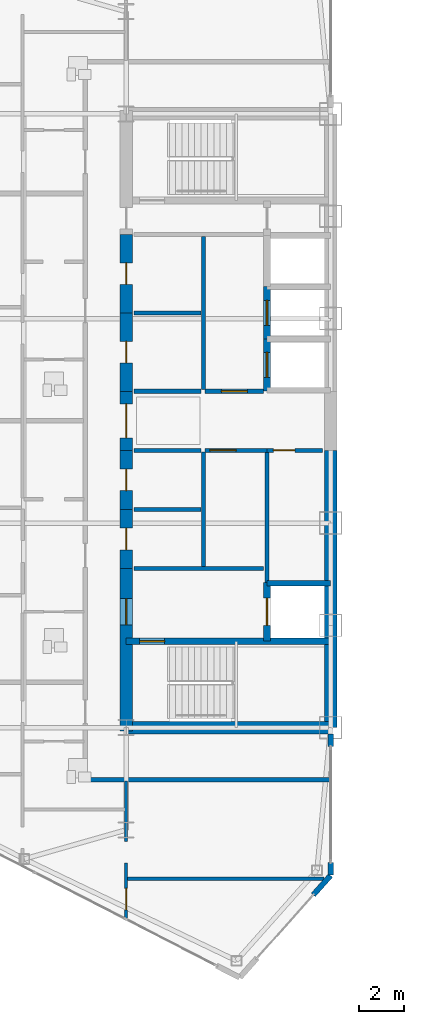
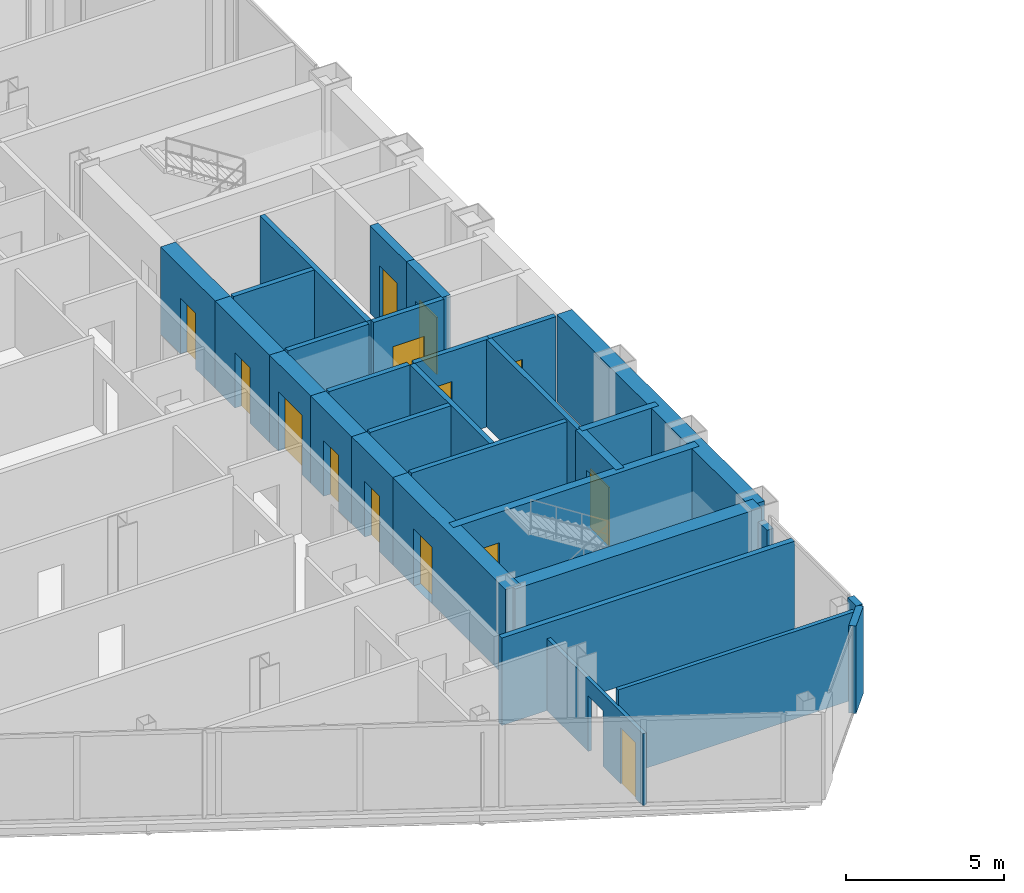
# One storey, part 16 of 23: 30 walls, 14 doors, 15 openings.
"""IFC4 building model written with IfcOpenShell, lengths in metres."""

from ifc_helpers import new_model, si_unit, direction, frame, frame_2d, origin, place, context, subcontext, project, spatial, rectangle, extrude, source, transform, mapped, material, layer, layer_set, type_object, type_shapes, element, fill, save


model = new_model("IFC4")

# Units and contexts
model_context = context("Model", 3, precision=1e-05, world=origin(), true_north=direction((0.0, 1.0)))
body_context = subcontext(model_context, "Body", "Model", "MODEL_VIEW")
ifc_project = project(units=[si_unit("LENGTHUNIT", "METRE"), si_unit("AREAUNIT", "SQUARE_METRE"), si_unit("VOLUMEUNIT", "CUBIC_METRE"), si_unit("PLANEANGLEUNIT", "RADIAN"), si_unit("MASSUNIT", "GRAM", prefix="KILO")], contexts=[model_context])

# Site, building, storey
site_placement = place(None, origin())
site = spatial("IfcSite", under=ifc_project, at=site_placement, CompositionType="ELEMENT")
building_placement = place(site_placement, origin())
building = spatial("IfcBuilding", under=site, at=building_placement, Name="Seokmaru Belvedere", CompositionType="ELEMENT")
storey_placement = place(building_placement, frame((0.0, 0.0, 147.60009765625)))
storey = spatial("IfcBuildingStorey", under=building, at=storey_placement, Name="L39", CompositionType="ELEMENT", Elevation=147.60009765625)

# Walls
ifc_material_1 = material(Name="Fire-Rated Gypsum Shaftwall")
ifc_layer_1 = layer(ifc_material_1, 0.14990234375)
ifc_layer_set_1 = layer_set([ifc_layer_1], Name="Fire-Rated Gypsum Shaftwall")
wall_type_1 = type_object("IfcWallType", Name="Apartment Fire-Acoustic Room Partition 150", PredefinedType="PARTITIONING", material=ifc_layer_set_1)
wall_1_placement = place(storey_placement, frame((-36.449951171875, -20.14990234375, 0.0), z_axis=(0.0, 0.0, 1.0), x_axis=(1.0, 0.0, 0.0)))
element("IfcWall", 1, at=wall_1_placement, inside=storey, type_object=wall_type_1, Name="L39 Interior Partition 001", PredefinedType="PARTITIONING", context=body_context, shape_type="SweptSolid", body=[
    extrude(rectangle(XDim=8.6494140625, YDim=0.14990234375, at=frame_2d((4.32470703125, 0.0))), origin(), (0.0, 0.0, 1.0), 3.3798828125),
])
ifc_layer_2 = layer(ifc_material_1, 0.179931640625)
ifc_layer_set_2 = layer_set([ifc_layer_2], Name="Fire-Rated Gypsum Shaftwall")
wall_type_2 = type_object("IfcWallType", Name="Core Service Fire Partition 180", PredefinedType="PARTITIONING", material=ifc_layer_set_2)
wall_2_placement = place(storey_placement, frame((-36.14990234375, -6.5, 0.0), z_axis=(0.0, 0.0, 1.0), x_axis=(1.0, 0.0, 0.0)))
element("IfcWall", 2, at=wall_2_placement, inside=storey, type_object=wall_type_2, Name="L39 West Firefighting Lobby Partition", PredefinedType="PARTITIONING", context=body_context, shape_type="SweptSolid", body=[
    extrude(rectangle(XDim=5.699951171875, YDim=0.179931640625, at=frame_2d((2.85009765625, 0.0))), origin(), (0.0, 0.0, 1.0), 3.3798828125),
])
wall_3_placement = place(storey_placement, frame((-33.10009765625, -6.419921875, 0.0), z_axis=(0.0, 0.0, 1.0), x_axis=(0.0, 1.0, 0.0)))
element("IfcWall", 3, at=wall_3_placement, inside=storey, type_object=wall_type_2, Name="L39 West South Core Service Back Wall", PredefinedType="PARTITIONING", context=body_context, shape_type="SweptSolid", body=[
    extrude(rectangle(XDim=5.0400390625, YDim=0.179931640625, at=frame_2d((2.52001953125, 0.0))), origin(), (0.0, 0.0, 1.0), 3.3798828125),
])
wall_4_placement = place(storey_placement, frame((-33.10009765625, 1.3798828125, 0.0), z_axis=(0.0, 0.0, 1.0), x_axis=(0.0, 1.0, 0.0)))
element("IfcWall", 4, at=wall_4_placement, inside=storey, type_object=wall_type_2, Name="L39 West North Core Service Back Wall", PredefinedType="PARTITIONING", context=body_context, shape_type="SweptSolid", body=[
    extrude(rectangle(XDim=6.740234375, YDim=0.179931640625, at=frame_2d((3.3701171875, 0.0))), origin(), (0.0, 0.0, 1.0), 3.3798828125),
])

# Wall, opening, door
wall_5_placement = place(storey_placement, frame((-30.300048828125, -1.300048828125, 0.0), z_axis=(0.0, 0.0, 1.0), x_axis=(1.0, 0.0, 0.0)))
wall_5 = element("IfcWall", 5, at=wall_5_placement, inside=storey, type_object=wall_type_2, Name="L39 West South Parcel Vault Foyer Wall", PredefinedType="PARTITIONING", context=body_context, shape_type="SweptSolid", body=[
    extrude(rectangle(XDim=2.449951171875, YDim=0.179931640625, at=frame_2d((1.22509765625, 0.0))), origin(), (0.0, 0.0, 1.0), 3.3798828125),
])
opening_1_placement = place(wall_5_placement, frame((0.27490234375, 0.0, 0.0)))
opening_1 = element("IfcOpeningElement", 6, at=opening_1_placement, cuts=wall_5, Name="Opening D04", PredefinedType="OPENING", context=body_context, shape_type="SweptSolid", body=[
    extrude(rectangle(XDim=0.949951171875, YDim=2.14990234375, at=frame_2d((0.47509765625, 1.074951171875))), frame((0.0, 0.10009765625, 0.0), z_axis=(0.0, -1.0, 0.0), x_axis=(1.0, 0.0, 0.0)), (0.0, 0.0, 1.0), 0.199951171875),
])
ifc_material_2 = material(Name="Fire-Rated Steel Leaf", Category="steel")
door_type_1 = type_object("IfcDoorType", Name="Core Service Room Fire Door 950x2150", OperationType="NOTDEFINED", PredefinedType="DOOR", material=ifc_material_2)
shared_shape_1 = source(origin(), body_context, "Body", "SweptSolid", [
    extrude(rectangle(XDim=0.949951171875, YDim=2.14990234375, at=frame_2d((0.47509765625, 1.074951171875))), frame((0.0, 0.02490234375, 0.0), z_axis=(0.0, -1.0, 0.0), x_axis=(1.0, 0.0, 0.0)), (0.0, 0.0, 1.0), 0.050048828125),
])
type_shapes(door_type_1, [shared_shape_1])
door_1_placement = place(opening_1_placement, origin())
door_1 = element("IfcDoor", 7, at=door_1_placement, inside=storey, type_object=door_type_1, Name="L39 West South Parcel Vault Door", OperationType="SINGLE_SWING_LEFT", OverallHeight=2.14990234375, OverallWidth=0.949951171875, PredefinedType="DOOR", context=body_context, shape_type="MappedRepresentation", body=[
    mapped(shared_shape_1, transform((0.0, 0.0, 0.0), scale=1.0)),
])
fill(opening_1, door_1)

wall_6_placement = place(storey_placement, frame((-33.02001953125, -1.300048828125, 0.0), z_axis=(0.0, 0.0, 1.0), x_axis=(1.0, 0.0, 0.0)))
wall_6 = element("IfcWall", 8, at=wall_6_placement, inside=storey, type_object=wall_type_2, Name="L39 West South Wine Cellar Foyer Wall", PredefinedType="PARTITIONING", context=body_context, shape_type="SweptSolid", body=[
    extrude(rectangle(XDim=2.719970703125, YDim=0.179931640625, at=frame_2d((1.35986328125, 0.0))), origin(), (0.0, 0.0, 1.0), 3.3798828125),
])
opening_2_placement = place(wall_6_placement, frame((0.2099609375, 0.0, 0.0)))
opening_2 = element("IfcOpeningElement", 9, at=opening_2_placement, cuts=wall_6, Name="Opening D02", PredefinedType="OPENING", context=body_context, shape_type="SweptSolid", body=[
    extrude(rectangle(XDim=1.14990234375, YDim=2.199951171875, at=frame_2d((0.574951171875, 1.10009765625))), frame((0.0, 0.10009765625, 0.0), z_axis=(0.0, -1.0, 0.0), x_axis=(1.0, 0.0, 0.0)), (0.0, 0.0, 1.0), 0.199951171875),
])
door_type_2 = type_object("IfcDoorType", Name="Lobby and Vestibule Fire Door 1150x2200", OperationType="NOTDEFINED", PredefinedType="DOOR", material=ifc_material_2)
shared_shape_2 = source(origin(), body_context, "Body", "SweptSolid", [
    extrude(rectangle(XDim=1.14990234375, YDim=2.199951171875, at=frame_2d((0.574951171875, 1.10009765625))), frame((0.0, 0.02490234375, 0.0), z_axis=(0.0, -1.0, 0.0), x_axis=(1.0, 0.0, 0.0)), (0.0, 0.0, 1.0), 0.050048828125),
])
type_shapes(door_type_2, [shared_shape_2])
door_2_placement = place(opening_2_placement, origin())
door_2 = element("IfcDoor", 10, at=door_2_placement, inside=storey, type_object=door_type_2, Name="L39 West South Core Foyer Door", OperationType="SINGLE_SWING_LEFT", OverallHeight=2.199951171875, OverallWidth=1.14990234375, PredefinedType="DOOR", context=body_context, shape_type="MappedRepresentation", body=[
    mapped(shared_shape_2, transform((0.0, 0.0, 0.0), scale=1.0)),
])
fill(opening_2, door_2)

# Wall
wall_7_placement = place(storey_placement, frame((-30.300048828125, -7.1201171875, 0.0), z_axis=(0.0, 0.0, 1.0), x_axis=(0.0, 1.0, 0.0)))
element("IfcWall", 11, at=wall_7_placement, inside=storey, type_object=wall_type_2, Name="L39 West Freed Shaft Vault Partition", PredefinedType="PARTITIONING", context=body_context, shape_type="SweptSolid", body=[
    extrude(rectangle(XDim=5.740234375, YDim=0.179931640625, at=frame_2d((2.8701171875, 0.0))), origin(), (0.0, 0.0, 1.0), 3.3798828125),
])

# Wall, opening, door
wall_8_placement = place(storey_placement, frame((-33.02001953125, 1.300048828125, 0.0), z_axis=(0.0, 0.0, 1.0), x_axis=(1.0, 0.0, 0.0)))
wall_8 = element("IfcWall", 12, at=wall_8_placement, inside=storey, type_object=wall_type_2, Name="L39 West North Lift Lobby Foyer Wall", PredefinedType="PARTITIONING", context=body_context, shape_type="SweptSolid", body=[
    extrude(rectangle(XDim=2.570068359375, YDim=0.179931640625, at=frame_2d((1.28515625, 0.0))), origin(), (0.0, 0.0, 1.0), 3.3798828125),
])
opening_3_placement = place(wall_8_placement, frame((0.7099609375, 0.0, 0.0)))
opening_3 = element("IfcOpeningElement", 13, at=opening_3_placement, cuts=wall_8, Name="Opening D02", PredefinedType="OPENING", context=body_context, shape_type="SweptSolid", body=[
    extrude(rectangle(XDim=1.14990234375, YDim=2.199951171875, at=frame_2d((0.574951171875, 1.10009765625))), frame((0.0, 0.10009765625, 0.0), z_axis=(0.0, -1.0, 0.0), x_axis=(1.0, 0.0, 0.0)), (0.0, 0.0, 1.0), 0.199951171875),
])
door_3_placement = place(opening_3_placement, origin())
door_3 = element("IfcDoor", 14, at=door_3_placement, inside=storey, type_object=door_type_2, Name="L39 West North Lift Lobby Door", OperationType="SINGLE_SWING_RIGHT", OverallHeight=2.199951171875, OverallWidth=1.14990234375, PredefinedType="DOOR", context=body_context, shape_type="MappedRepresentation", body=[
    mapped(shared_shape_2, transform((0.0, 0.0, 0.0), scale=1.0)),
])
fill(opening_3, door_3)

# Walls
for number, where, z_axis, x_axis, name in (
    (15, (-36.14990234375, -1.300048828125, 0.0), (0.0, 0.0, 1.0), (1.0, 0.0, 0.0), "L39 West Foyer Side Wall S"),
    (16, (-36.14990234375, 1.300048828125, 0.0), (0.0, 0.0, 1.0), (1.0, 0.0, 0.0), "L39 West Foyer Side Wall N"),
    (17, (-36.14990234375, -3.89990234375, 0.0), (0.0, 0.0, 1.0), (1.0, 0.0, 0.0), "L39 West Core Service Partition 1"),
    (18, (-36.14990234375, 4.75, 0.0), (0.0, 0.0, 1.0), (1.0, 0.0, 0.0), "L39 West Core Service Partition 2"),
):
    element("IfcWall", number, at=place(storey_placement, frame(where, z_axis=z_axis, x_axis=x_axis)), inside=storey, type_object=wall_type_2, Name=name, PredefinedType="PARTITIONING", context=body_context, shape_type="SweptSolid", body=[
        extrude(rectangle(XDim=2.949951171875, YDim=0.179931640625, at=frame_2d((1.47509765625, 0.0))), origin(), (0.0, 0.0, 1.0), 3.3798828125),
    ])
ifc_material_3 = material(Name="Concrete C50 (50 MPa)", Category="concrete")
ifc_layer_3 = layer(ifc_material_3, 0.25)
ifc_layer_set_3 = layer_set([ifc_layer_3], Name="Concrete C50 (50 MPa)")
wall_type_3 = type_object("IfcWallType", Name="Hoistway Transverse Concrete Divider Wall 250", PredefinedType="SHEAR", material=ifc_layer_set_3)
wall_9_placement = place(storey_placement, frame((-30.300048828125, -7.14990234375, 0.0), z_axis=(0.0, 0.0, 1.0), x_axis=(1.0, 0.0, 0.0)))
element("IfcWall", 19, at=wall_9_placement, inside=storey, type_object=wall_type_3, Name="L39 West Hoistway Divider Core Wall 1", PredefinedType="SHEAR", context=body_context, shape_type="SweptSolid", body=[
    extrude(rectangle(XDim=2.800048828125, YDim=0.25, at=frame_2d((1.39990234375, 0.0))), origin(), (0.0, 0.0, 1.0), 3.3798828125),
])
ifc_layer_4 = layer(ifc_material_1, 0.199951171875)
ifc_layer_set_4 = layer_set([ifc_layer_4], Name="Fire-Rated Gypsum Shaftwall")
wall_type_4 = type_object("IfcWallType", Name="Inter-Tenancy Fire Compartment Partition 200", PredefinedType="PARTITIONING", material=ifc_layer_set_4)
wall_10_placement = place(storey_placement, frame((-38.215087890625, -15.800048828125, 0.0), z_axis=(0.0, 0.0, 1.0), x_axis=(1.0, 0.0, 0.0)))
element("IfcWall", 20, at=wall_10_placement, inside=storey, type_object=wall_type_4, Name="L39 Interior Partition 003", PredefinedType="PARTITIONING", context=body_context, shape_type="SweptSolid", body=[
    extrude(rectangle(XDim=10.715087890625, YDim=0.199951171875, at=frame_2d((5.357421875, 0.0))), origin(), (0.0, 0.0, 1.0), 3.3798828125),
])

# Wall, opening, door
ifc_layer_5 = layer(ifc_material_3, 0.300048828125)
ifc_layer_set_5 = layer_set([ifc_layer_5], Name="Concrete C50 (50 MPa)")
wall_type_5 = type_object("IfcWallType", Name="Internal Core Stair and Hoistway Wall 300", PredefinedType="SHEAR", material=ifc_layer_set_5)
wall_11_placement = place(storey_placement, frame((-36.5, -9.699951171875, 0.0), z_axis=(0.0, 0.0, 1.0), x_axis=(1.0, 0.0, 0.0)))
wall_11 = element("IfcWall", 21, at=wall_11_placement, inside=storey, type_object=wall_type_5, Name="L39 West Stair ST-1 Enclosure Wall", PredefinedType="SHEAR", context=body_context, shape_type="SweptSolid", body=[
    extrude(rectangle(XDim=9.0, YDim=0.300048828125, at=frame_2d((4.5, 0.0))), origin(), (0.0, 0.0, 1.0), 3.3798828125),
])
opening_4_placement = place(wall_11_placement, frame((0.60009765625, 0.0, 0.0)))
opening_4 = element("IfcOpeningElement", 22, at=opening_4_placement, cuts=wall_11, Name="Opening D01", PredefinedType="OPENING", context=body_context, shape_type="SweptSolid", body=[
    extrude(rectangle(XDim=1.10009765625, YDim=2.199951171875, at=frame_2d((0.550048828125, 1.10009765625))), frame((0.0, 0.16015625, 0.0), z_axis=(0.0, -1.0, 0.0), x_axis=(1.0, 0.0, 0.0)), (0.0, 0.0, 1.0), 0.320068359375),
])
door_type_3 = type_object("IfcDoorType", Name="Special Escape Stair Smokeproof Fire Door 1100x2200", OperationType="NOTDEFINED", PredefinedType="DOOR", material=ifc_material_2)
shared_shape_3 = source(origin(), body_context, "Body", "SweptSolid", [
    extrude(rectangle(XDim=1.10009765625, YDim=2.199951171875, at=frame_2d((0.550048828125, 1.10009765625))), frame((0.0, 0.02490234375, 0.0), z_axis=(0.0, -1.0, 0.0), x_axis=(1.0, 0.0, 0.0)), (0.0, 0.0, 1.0), 0.050048828125),
])
type_shapes(door_type_3, [shared_shape_3])
door_4_placement = place(opening_4_placement, frame((1.10009765625, 0.0, 0.0), z_axis=(0.0, 0.0, 1.0), x_axis=(-1.0, 0.0, 0.0)))
door_4 = element("IfcDoor", 23, at=door_4_placement, inside=storey, type_object=door_type_3, Name="L39 West Special Escape Stair ST-1 Door", OperationType="SINGLE_SWING_LEFT", OverallHeight=2.199951171875, OverallWidth=1.10009765625, PredefinedType="DOOR", context=body_context, shape_type="MappedRepresentation", body=[
    mapped(shared_shape_3, transform((0.0, 0.0, 0.0), scale=1.0)),
])
fill(opening_4, door_4)

wall_12_placement = place(storey_placement, frame((-30.300048828125, -9.679931640625, 0.0), z_axis=(0.0, 0.0, 1.0), x_axis=(0.0, 1.0, 0.0)))
wall_12 = element("IfcWall", 24, at=wall_12_placement, inside=storey, type_object=wall_type_5, Name="L39 West Firefighting Lift Shaft Front Wall", PredefinedType="SHEAR", context=body_context, shape_type="SweptSolid", body=[
    extrude(rectangle(XDim=2.559814453125, YDim=0.300048828125, at=frame_2d((1.27978515625, 0.0))), origin(), (0.0, 0.0, 1.0), 3.3798828125),
])
opening_5_placement = place(wall_12_placement, frame((0.679931640625, 0.0, 0.0)))
opening_5 = element("IfcOpeningElement", 25, at=opening_5_placement, cuts=wall_12, Name="Opening LD2", PredefinedType="OPENING", context=body_context, shape_type="SweptSolid", body=[
    extrude(rectangle(XDim=1.199951171875, YDim=2.25, at=frame_2d((0.60009765625, 1.125))), frame((0.0, 0.16015625, 0.0), z_axis=(0.0, -1.0, 0.0), x_axis=(1.0, 0.0, 0.0)), (0.0, 0.0, 1.0), 0.320068359375),
])
ifc_material_4 = material(Name="Stainless Steel 316", Category="steel")
door_type_4 = type_object("IfcDoorType", Name="Firefighting Lift Sliding Landing Door 1200x2250", OperationType="DOUBLE_DOOR_SLIDING", PredefinedType="DOOR", material=ifc_material_4)
shared_shape_4 = source(origin(), body_context, "Body", "SweptSolid", [
    extrude(rectangle(XDim=1.199951171875, YDim=2.25, at=frame_2d((0.60009765625, 1.125))), frame((0.0, 0.02490234375, 0.0), z_axis=(0.0, -1.0, 0.0), x_axis=(1.0, 0.0, 0.0)), (0.0, 0.0, 1.0), 0.050048828125),
])
type_shapes(door_type_4, [shared_shape_4])
door_5_placement = place(opening_5_placement, origin())
door_5 = element("IfcDoor", 26, at=door_5_placement, inside=storey, type_object=door_type_4, Name="L39 West Firefighting Lift Landing Door", OperationType="DOUBLE_DOOR_SLIDING", OverallHeight=2.25, OverallWidth=1.199951171875, PredefinedType="DOOR", context=body_context, shape_type="MappedRepresentation", body=[
    mapped(shared_shape_4, transform((0.0, 0.0, 0.0), scale=1.0)),
])
fill(opening_5, door_5)

wall_13_placement = place(storey_placement, frame((-30.300048828125, 1.320068359375, 0.0), z_axis=(0.0, 0.0, 1.0), x_axis=(0.0, 1.0, 0.0)))
wall_13 = element("IfcWall", 27, at=wall_13_placement, inside=storey, type_object=wall_type_5, Name="L39 West North Hoistway Wall PH1", PredefinedType="SHEAR", context=body_context, shape_type="SweptSolid", body=[
    extrude(rectangle(XDim=2.280029296875, YDim=0.300048828125, at=frame_2d((1.14013671875, 0.0))), origin(), (0.0, 0.0, 1.0), 3.3798828125),
])
opening_6_placement = place(wall_13_placement, frame((0.590087890625, 0.0, 0.0)))
opening_6 = element("IfcOpeningElement", 28, at=opening_6_placement, cuts=wall_13, Name="Opening LD1", PredefinedType="OPENING", context=body_context, shape_type="SweptSolid", body=[
    extrude(rectangle(XDim=1.10009765625, YDim=2.199951171875, at=frame_2d((0.550048828125, 1.10009765625))), frame((0.0, 0.16015625, 0.0), z_axis=(0.0, -1.0, 0.0), x_axis=(1.0, 0.0, 0.0)), (0.0, 0.0, 1.0), 0.320068359375),
])
door_type_5 = type_object("IfcDoorType", Name="Passenger Lift Sliding Landing Door 1100x2200", OperationType="DOUBLE_DOOR_SLIDING", PredefinedType="DOOR", material=ifc_material_4)
shared_shape_5 = source(origin(), body_context, "Body", "SweptSolid", [
    extrude(rectangle(XDim=1.10009765625, YDim=2.199951171875, at=frame_2d((0.550048828125, 1.10009765625))), frame((0.0, 0.02490234375, 0.0), z_axis=(0.0, -1.0, 0.0), x_axis=(1.0, 0.0, 0.0)), (0.0, 0.0, 1.0), 0.050048828125),
])
type_shapes(door_type_5, [shared_shape_5])
door_6_placement = place(opening_6_placement, origin())
door_6 = element("IfcDoor", 29, at=door_6_placement, inside=storey, type_object=door_type_5, Name="L39 West High-Rise Lift PH-1 Landing Door", OperationType="DOUBLE_DOOR_SLIDING", OverallHeight=2.199951171875, OverallWidth=1.10009765625, PredefinedType="DOOR", context=body_context, shape_type="MappedRepresentation", body=[
    mapped(shared_shape_5, transform((0.0, 0.0, 0.0), scale=1.0)),
])
fill(opening_6, door_6)

wall_14_placement = place(storey_placement, frame((-30.300048828125, 3.60009765625, 0.0), z_axis=(0.0, 0.0, 1.0), x_axis=(0.0, 1.0, 0.0)))
wall_14 = element("IfcWall", 30, at=wall_14_placement, inside=storey, type_object=wall_type_5, Name="L39 West North Hoistway Wall PH2", PredefinedType="SHEAR", context=body_context, shape_type="SweptSolid", body=[
    extrude(rectangle(XDim=2.2998046875, YDim=0.300048828125, at=frame_2d((1.14990234375, 0.0))), origin(), (0.0, 0.0, 1.0), 3.3798828125),
])
opening_7_placement = place(wall_14_placement, frame((0.60009765625, 0.0, 0.0)))
opening_7 = element("IfcOpeningElement", 31, at=opening_7_placement, cuts=wall_14, Name="Opening LD1", PredefinedType="OPENING", context=body_context, shape_type="SweptSolid", body=[
    extrude(rectangle(XDim=1.10009765625, YDim=2.199951171875, at=frame_2d((0.550048828125, 1.10009765625))), frame((0.0, 0.16015625, 0.0), z_axis=(0.0, -1.0, 0.0), x_axis=(1.0, 0.0, 0.0)), (0.0, 0.0, 1.0), 0.320068359375),
])
door_7_placement = place(opening_7_placement, origin())
door_7 = element("IfcDoor", 32, at=door_7_placement, inside=storey, type_object=door_type_5, Name="L39 West High-Rise Lift PH-2 Landing Door", OperationType="DOUBLE_DOOR_SLIDING", OverallHeight=2.199951171875, OverallWidth=1.10009765625, PredefinedType="DOOR", context=body_context, shape_type="MappedRepresentation", body=[
    mapped(shared_shape_5, transform((0.0, 0.0, 0.0), scale=1.0)),
])
fill(opening_7, door_7)

# Walls
ifc_layer_6 = layer(ifc_material_3, 0.550048828125)
ifc_layer_set_6 = layer_set([ifc_layer_6], Name="Concrete C50 (50 MPa)")
wall_type_6 = type_object("IfcWallType", Name="Mid-High Reinforced Concrete Core Wall 550", PredefinedType="SHEAR", material=ifc_layer_set_6)
wall_15_placement = place(storey_placement, frame((-27.5, -13.5, 0.0), z_axis=(0.0, 0.0, 1.0), x_axis=(0.0, 1.0, 0.0)))
element("IfcWall", 33, at=wall_15_placement, inside=storey, type_object=wall_type_6, Name="L39 West Portal Spine Core Wall South", PredefinedType="SHEAR", context=body_context, shape_type="SweptSolid", body=[
    extrude(rectangle(XDim=12.199951171875, YDim=0.550048828125, at=frame_2d((6.10009765625, 0.0))), origin(), (0.0, 0.0, 1.0), 3.3798828125),
])
wall_16_placement = place(storey_placement, frame((-36.5, -13.5, 0.0), z_axis=(0.0, 0.0, 1.0), x_axis=(1.0, 0.0, 0.0)))
element("IfcWall", 34, at=wall_16_placement, inside=storey, type_object=wall_type_6, Name="L39 West South Core Wall", PredefinedType="SHEAR", context=body_context, shape_type="SweptSolid", body=[
    extrude(rectangle(XDim=9.0, YDim=0.550048828125, at=frame_2d((4.5, 0.0))), origin(), (0.0, 0.0, 1.0), 3.3798828125),
])

# Wall, opening, door
wall_17_placement = place(storey_placement, frame((-36.5, -13.64990234375, 0.0), z_axis=(0.0, 0.0, 1.0), x_axis=(0.0, 1.0, 0.0)))
wall_17 = element("IfcWall", 35, at=wall_17_placement, inside=storey, type_object=wall_type_6, Name="L39 West West Core Wall FF", PredefinedType="SHEAR", context=body_context, shape_type="SweptSolid", body=[
    extrude(rectangle(XDim=7.14990234375, YDim=0.550048828125, at=frame_2d((3.574951171875, 0.0))), origin(), (0.0, 0.0, 1.0), 3.3798828125),
])
opening_8_placement = place(wall_17_placement, frame((4.675048828125, 0.0, 0.0)))
opening_8 = element("IfcOpeningElement", 36, at=opening_8_placement, cuts=wall_17, Name="Opening D02", PredefinedType="OPENING", context=body_context, shape_type="SweptSolid", body=[
    extrude(rectangle(XDim=1.14990234375, YDim=2.199951171875, at=frame_2d((0.574951171875, 1.10009765625))), frame((0.0, 0.28515625, 0.0), z_axis=(0.0, -1.0, 0.0), x_axis=(1.0, 0.0, 0.0)), (0.0, 0.0, 1.0), 0.570068359375),
])
door_8_placement = place(opening_8_placement, frame((1.14990234375, 0.0, 0.0), z_axis=(0.0, 0.0, 1.0), x_axis=(-1.0, 0.0, 0.0)))
door_8 = element("IfcDoor", 37, at=door_8_placement, inside=storey, type_object=door_type_2, Name="L39 West Firefighting Lobby Door", OperationType="SINGLE_SWING_LEFT", OverallHeight=2.199951171875, OverallWidth=1.14990234375, PredefinedType="DOOR", context=body_context, shape_type="MappedRepresentation", body=[
    mapped(shared_shape_2, transform((0.0, 0.0, 0.0), scale=1.0)),
])
fill(opening_8, door_8)

wall_18_placement = place(storey_placement, frame((-36.5, -1.300048828125, 0.0), z_axis=(0.0, 0.0, 1.0), x_axis=(0.0, 1.0, 0.0)))
wall_18 = element("IfcWall", 38, at=wall_18_placement, inside=storey, type_object=wall_type_6, Name="L39 West West Core Wall FOY", PredefinedType="SHEAR", context=body_context, shape_type="SweptSolid", body=[
    extrude(rectangle(XDim=2.60009765625, YDim=0.550048828125, at=frame_2d((1.300048828125, 0.0))), origin(), (0.0, 0.0, 1.0), 3.3798828125),
])
opening_9_placement = place(wall_18_placement, frame((0.550048828125, 0.0, 0.0)))
opening_9 = element("IfcOpeningElement", 39, at=opening_9_placement, cuts=wall_18, Name="Opening D08", PredefinedType="OPENING", context=body_context, shape_type="SweptSolid", body=[
    extrude(rectangle(XDim=1.5, YDim=2.300048828125, at=frame_2d((0.75, 1.14990234375))), frame((0.0, 0.28515625, 0.0), z_axis=(0.0, -1.0, 0.0), x_axis=(1.0, 0.0, 0.0)), (0.0, 0.0, 1.0), 0.570068359375),
])
door_type_6 = type_object("IfcDoorType", Name="Cross-Corridor Compartment Double Fire Door 1500x2300", OperationType="DOUBLE_SWING_LEFT", PredefinedType="DOOR", material=ifc_material_2)
shared_shape_6 = source(origin(), body_context, "Body", "SweptSolid", [
    extrude(rectangle(XDim=1.5, YDim=2.300048828125, at=frame_2d((0.75, 1.14990234375))), frame((0.0, 0.02490234375, 0.0), z_axis=(0.0, -1.0, 0.0), x_axis=(1.0, 0.0, 0.0)), (0.0, 0.0, 1.0), 0.050048828125),
])
type_shapes(door_type_6, [shared_shape_6])
door_9_placement = place(opening_9_placement, origin())
door_9 = element("IfcDoor", 40, at=door_9_placement, inside=storey, type_object=door_type_6, Name="L39 West Core Foyer Compartment Door", OperationType="DOUBLE_SWING_LEFT", OverallHeight=2.300048828125, OverallWidth=1.5, PredefinedType="DOOR", context=body_context, shape_type="MappedRepresentation", body=[
    mapped(shared_shape_6, transform((0.0, 0.0, 0.0), scale=1.0)),
])
fill(opening_9, door_9)

wall_19_placement = place(storey_placement, frame((-36.5, -6.5, 0.0), z_axis=(0.0, 0.0, 1.0), x_axis=(0.0, 1.0, 0.0)))
wall_19 = element("IfcWall", 41, at=wall_19_placement, inside=storey, type_object=wall_type_6, Name="L39 West West Core Wall CS1", PredefinedType="SHEAR", context=body_context, shape_type="SweptSolid", body=[
    extrude(rectangle(XDim=2.60009765625, YDim=0.550048828125, at=frame_2d((1.300048828125, 0.0))), origin(), (0.0, 0.0, 1.0), 3.3798828125),
])
opening_10_placement = place(wall_19_placement, frame((0.824951171875, 0.0, 0.0)))
opening_10 = element("IfcOpeningElement", 42, at=opening_10_placement, cuts=wall_19, Name="Opening D04", PredefinedType="OPENING", context=body_context, shape_type="SweptSolid", body=[
    extrude(rectangle(XDim=0.949951171875, YDim=2.14990234375, at=frame_2d((0.47509765625, 1.074951171875))), frame((0.0, 0.28515625, 0.0), z_axis=(0.0, -1.0, 0.0), x_axis=(1.0, 0.0, 0.0)), (0.0, 0.0, 1.0), 0.570068359375),
])
door_10_placement = place(opening_10_placement, origin())
door_10 = element("IfcDoor", 43, at=door_10_placement, inside=storey, type_object=door_type_1, Name="L39 West Core Service Room Door 1", OperationType="SINGLE_SWING_LEFT", OverallHeight=2.14990234375, OverallWidth=0.949951171875, PredefinedType="DOOR", context=body_context, shape_type="MappedRepresentation", body=[
    mapped(shared_shape_1, transform((0.0, 0.0, 0.0), scale=1.0)),
])
fill(opening_10, door_10)

wall_20_placement = place(storey_placement, frame((-36.5, -3.89990234375, 0.0), z_axis=(0.0, 0.0, 1.0), x_axis=(0.0, 1.0, 0.0)))
wall_20 = element("IfcWall", 44, at=wall_20_placement, inside=storey, type_object=wall_type_6, Name="L39 West West Core Wall CS2", PredefinedType="SHEAR", context=body_context, shape_type="SweptSolid", body=[
    extrude(rectangle(XDim=2.599853515625, YDim=0.550048828125, at=frame_2d((1.2998046875, 0.0))), origin(), (0.0, 0.0, 1.0), 3.3798828125),
])
opening_11_placement = place(wall_20_placement, frame((0.824951171875, 0.0, 0.0)))
opening_11 = element("IfcOpeningElement", 45, at=opening_11_placement, cuts=wall_20, Name="Opening D04", PredefinedType="OPENING", context=body_context, shape_type="SweptSolid", body=[
    extrude(rectangle(XDim=0.949951171875, YDim=2.14990234375, at=frame_2d((0.47509765625, 1.074951171875))), frame((0.0, 0.28515625, 0.0), z_axis=(0.0, -1.0, 0.0), x_axis=(1.0, 0.0, 0.0)), (0.0, 0.0, 1.0), 0.570068359375),
])
door_11_placement = place(opening_11_placement, origin())
door_11 = element("IfcDoor", 46, at=door_11_placement, inside=storey, type_object=door_type_1, Name="L39 West Core Service Room Door 2", OperationType="SINGLE_SWING_RIGHT", OverallHeight=2.14990234375, OverallWidth=0.949951171875, PredefinedType="DOOR", context=body_context, shape_type="MappedRepresentation", body=[
    mapped(shared_shape_1, transform((0.0, 0.0, 0.0), scale=1.0)),
])
fill(opening_11, door_11)

wall_21_placement = place(storey_placement, frame((-36.5, 1.300048828125, 0.0), z_axis=(0.0, 0.0, 1.0), x_axis=(0.0, 1.0, 0.0)))
wall_21 = element("IfcWall", 47, at=wall_21_placement, inside=storey, type_object=wall_type_6, Name="L39 West West Core Wall CS3", PredefinedType="SHEAR", context=body_context, shape_type="SweptSolid", body=[
    extrude(rectangle(XDim=3.449951171875, YDim=0.550048828125, at=frame_2d((1.72509765625, 0.0))), origin(), (0.0, 0.0, 1.0), 3.3798828125),
])
opening_12_placement = place(wall_21_placement, frame((1.25, 0.0, 0.0)))
opening_12 = element("IfcOpeningElement", 48, at=opening_12_placement, cuts=wall_21, Name="Opening D04", PredefinedType="OPENING", context=body_context, shape_type="SweptSolid", body=[
    extrude(rectangle(XDim=0.949951171875, YDim=2.14990234375, at=frame_2d((0.47509765625, 1.074951171875))), frame((0.0, 0.28515625, 0.0), z_axis=(0.0, -1.0, 0.0), x_axis=(1.0, 0.0, 0.0)), (0.0, 0.0, 1.0), 0.570068359375),
])
door_12_placement = place(opening_12_placement, origin())
door_12 = element("IfcDoor", 49, at=door_12_placement, inside=storey, type_object=door_type_1, Name="L39 West Core Service Room Door 3", OperationType="SINGLE_SWING_LEFT", OverallHeight=2.14990234375, OverallWidth=0.949951171875, PredefinedType="DOOR", context=body_context, shape_type="MappedRepresentation", body=[
    mapped(shared_shape_1, transform((0.0, 0.0, 0.0), scale=1.0)),
])
fill(opening_12, door_12)

wall_22_placement = place(storey_placement, frame((-36.5, 4.75, 0.0), z_axis=(0.0, 0.0, 1.0), x_axis=(0.0, 1.0, 0.0)))
wall_22 = element("IfcWall", 50, at=wall_22_placement, inside=storey, type_object=wall_type_6, Name="L39 West West Core Wall CS4", PredefinedType="SHEAR", context=body_context, shape_type="SweptSolid", body=[
    extrude(rectangle(XDim=3.449951171875, YDim=0.550048828125, at=frame_2d((1.72509765625, 0.0))), origin(), (0.0, 0.0, 1.0), 3.3798828125),
])
opening_13_placement = place(wall_22_placement, frame((1.25, 0.0, 0.0)))
opening_13 = element("IfcOpeningElement", 51, at=opening_13_placement, cuts=wall_22, Name="Opening D04", PredefinedType="OPENING", context=body_context, shape_type="SweptSolid", body=[
    extrude(rectangle(XDim=0.949951171875, YDim=2.14990234375, at=frame_2d((0.47509765625, 1.074951171875))), frame((0.0, 0.28515625, 0.0), z_axis=(0.0, -1.0, 0.0), x_axis=(1.0, 0.0, 0.0)), (0.0, 0.0, 1.0), 0.570068359375),
])
door_13_placement = place(opening_13_placement, origin())
door_13 = element("IfcDoor", 52, at=door_13_placement, inside=storey, type_object=door_type_1, Name="L39 West Core Service Room Door 4", OperationType="SINGLE_SWING_RIGHT", OverallHeight=2.14990234375, OverallWidth=0.949951171875, PredefinedType="DOOR", context=body_context, shape_type="MappedRepresentation", body=[
    mapped(shared_shape_1, transform((0.0, 0.0, 0.0), scale=1.0)),
])
fill(opening_13, door_13)

# Wall, openings, door
ifc_layer_7 = layer(ifc_material_1, 0.1298828125)
ifc_layer_set_7 = layer_set([ifc_layer_7], Name="Fire-Rated Gypsum Shaftwall")
wall_type_7 = type_object("IfcWallType", Name="Moisture-Resistant Fire-Rated Bathroom Partition 130", PredefinedType="PARTITIONING", material=ifc_layer_set_7)
wall_23_placement = place(storey_placement, frame((-36.5, -21.968994140625, 0.0), z_axis=(0.0, 0.0, 1.0), x_axis=(0.0, 1.0, 0.0)))
wall_23 = element("IfcWall", 53, at=wall_23_placement, inside=storey, type_object=wall_type_7, Name="L39 Interior Partition 041", PredefinedType="PARTITIONING", context=body_context, shape_type="SweptSolid", body=[
    extrude(rectangle(XDim=6.118896484375, YDim=0.1298828125, at=frame_2d((3.0595703125, 0.0))), origin(), (0.0, 0.0, 1.0), 2.77978515625),
])
opening_14_placement = place(wall_23_placement, frame((0.451904296875, 0.0, 0.0)))
opening_14 = element("IfcOpeningElement", 54, at=opening_14_placement, cuts=wall_23, Name="Opening D05", PredefinedType="OPENING", context=body_context, shape_type="SweptSolid", body=[
    extrude(rectangle(XDim=0.949951171875, YDim=2.14990234375, at=frame_2d((0.47509765625, 1.074951171875))), frame((0.0, 0.074951171875, 0.0), z_axis=(0.0, -1.0, 0.0), x_axis=(1.0, 0.0, 0.0)), (0.0, 0.0, 1.0), 0.14990234375),
])
opening_15_placement = place(wall_23_placement, frame((2.5126953125, 0.0, 0.0)))
element("IfcOpeningElement", 55, at=opening_15_placement, cuts=wall_23, Name="L39 Cased Opening 007", PredefinedType="OPENING", context=body_context, shape_type="SweptSolid", body=[
    extrude(rectangle(XDim=0.949951171875, YDim=2.14990234375, at=frame_2d((0.47509765625, 1.074951171875))), frame((0.0, 0.074951171875, 0.0), z_axis=(0.0, -1.0, 0.0), x_axis=(1.0, 0.0, 0.0)), (0.0, 0.0, 1.0), 0.14990234375),
])
ifc_material_5 = material(Name="Engineered White Oak Timber", Category="wood")
door_type_7 = type_object("IfcDoorType", Name="Apartment Interior Fire-Rated Oak Door 950x2150", OperationType="NOTDEFINED", PredefinedType="DOOR", material=ifc_material_5)
shared_shape_7 = source(origin(), body_context, "Body", "SweptSolid", [
    extrude(rectangle(XDim=0.949951171875, YDim=2.14990234375, at=frame_2d((0.47509765625, 1.074951171875))), frame((0.0, 0.02490234375, 0.0), z_axis=(0.0, -1.0, 0.0), x_axis=(1.0, 0.0, 0.0)), (0.0, 0.0, 1.0), 0.050048828125),
])
type_shapes(door_type_7, [shared_shape_7])
door_14_placement = place(opening_14_placement, origin())
door_14 = element("IfcDoor", 56, at=door_14_placement, inside=storey, type_object=door_type_7, Name="L39 Interior Door 006", OperationType="SINGLE_SWING_RIGHT", OverallHeight=2.14990234375, OverallWidth=0.949951171875, PredefinedType="DOOR", context=body_context, shape_type="MappedRepresentation", body=[
    mapped(shared_shape_7, transform((0.0, 0.0, 0.0), scale=1.0)),
])
fill(opening_14, door_14)

# Walls
ifc_material_6 = material(Name="Anodised Bronze Aluminium", Category="aluminium")
ifc_layer_8 = layer(ifc_material_6, 0.239990234375)
ifc_layer_set_8 = layer_set([ifc_layer_8], Name="Anodised Bronze Aluminium")
wall_type_8 = type_object("IfcWallType", Name="Tower Corner Spandrel Closure Wall 240", PredefinedType="SOLIDWALL", material=ifc_layer_set_8)
wall_24_placement = place(storey_placement, frame((-27.5, -19.97998046875, 0.0), z_axis=(0.0, 0.0, 1.0), x_axis=(0.0, 1.0, 0.0)))
element("IfcWall", 57, at=wall_24_placement, inside=storey, type_object=wall_type_8, Name="L39 W Spine Closure Pier 1A", PredefinedType="SOLIDWALL", context=body_context, shape_type="SweptSolid", body=[
    extrude(rectangle(XDim=0.550048828125, YDim=0.239990234375, at=frame_2d((0.27490234375, 0.0))), origin(), (0.0, 0.0, 1.0), 3.3798828125),
])
wall_25_placement = place(storey_placement, frame((-27.5, -14.330078125, 0.0), z_axis=(0.0, 0.0, 1.0), x_axis=(0.0, 1.0, 0.0)))
element("IfcWall", 58, at=wall_25_placement, inside=storey, type_object=wall_type_8, Name="L39 W Spine Closure Pier 1B", PredefinedType="SOLIDWALL", context=body_context, shape_type="SweptSolid", body=[
    extrude(rectangle(XDim=0.550048828125, YDim=0.239990234375, at=frame_2d((0.27490234375, 0.0))), origin(), (0.0, 0.0, 1.0), 2.8798828125),
])
wall_26_placement = place(storey_placement, frame((-28.263916015625, -20.859619140625, 0.0), z_axis=(0.0, 0.0, 1.0), x_axis=(0.664337252513, 0.747432950119, 0.0)))
element("IfcWall", 59, at=wall_26_placement, inside=storey, type_object=wall_type_8, Name="L39 W Corner Closure Pier 6B", PredefinedType="SOLIDWALL", context=body_context, shape_type="SweptSolid", body=[
    extrude(rectangle(XDim=1.139892578125, YDim=0.239990234375, at=frame_2d((0.56982421875, 0.0))), origin(), (0.0, 0.0, 1.0), 3.3798828125),
])

save(model, "model.ifc")
